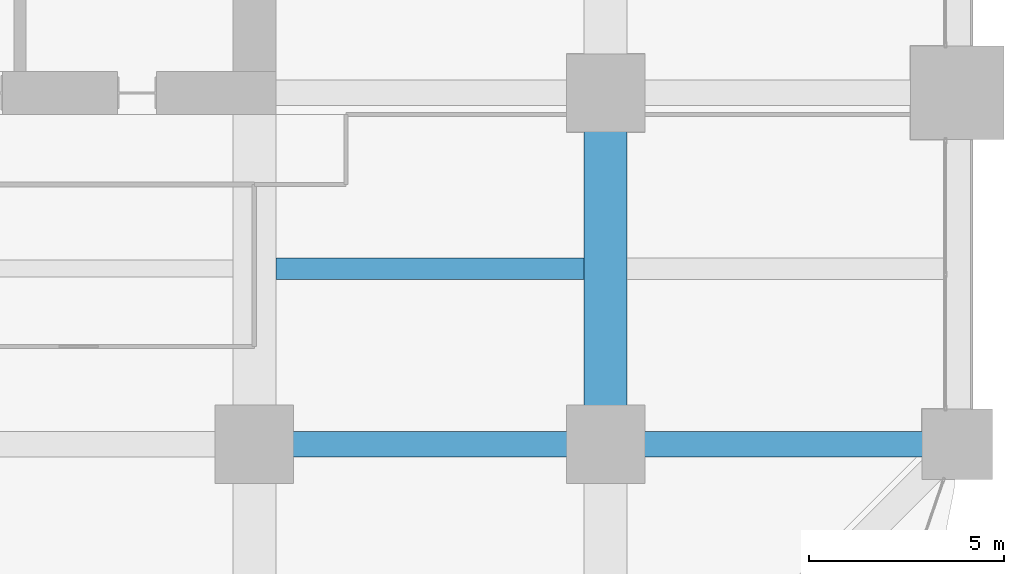
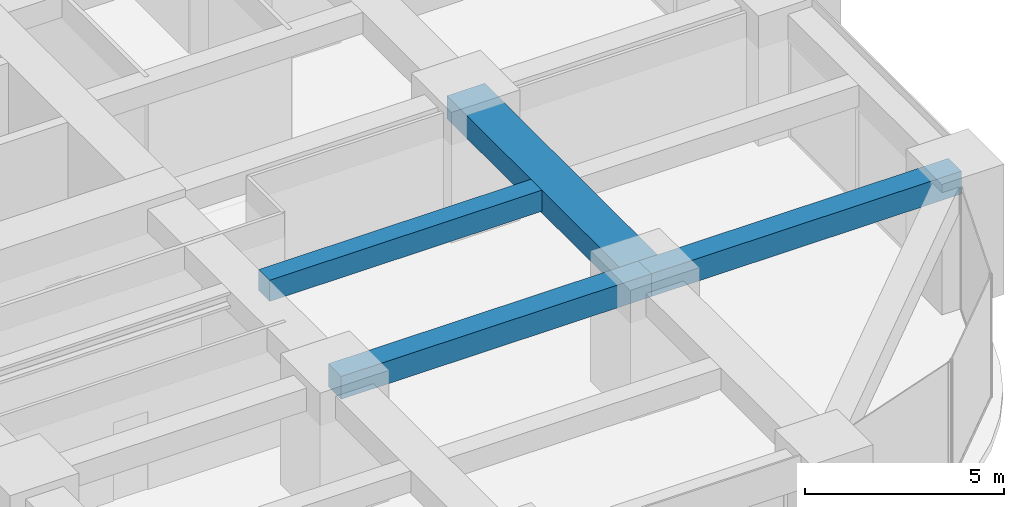
# One storey, part 18 of 40: 4 beams.
"""IFC4 building model written with IfcOpenShell, lengths in metres."""

from ifc_helpers import new_model, si_unit, direction, frame, origin, origin_2d, place, context, subcontext, project, spatial, rectangle, extrude, material, material_profile, profile_set, type_object, element, save


model = new_model("IFC4")

# Units and contexts
model_context = context("Model", 3, precision=1e-05, world=origin(), true_north=direction((0.0, 1.0)))
body_context = subcontext(model_context, "Body", "Model", "MODEL_VIEW")
ifc_project = project(units=[si_unit("LENGTHUNIT", "METRE"), si_unit("AREAUNIT", "SQUARE_METRE"), si_unit("VOLUMEUNIT", "CUBIC_METRE"), si_unit("PLANEANGLEUNIT", "RADIAN"), si_unit("MASSUNIT", "GRAM", prefix="KILO")], contexts=[model_context])

# Site, building, storey
site_placement = place(None, origin())
site = spatial("IfcSite", under=ifc_project, at=site_placement, CompositionType="ELEMENT")
building_placement = place(site_placement, origin())
building = spatial("IfcBuilding", under=site, at=building_placement, Name="Zorevar Civic Tower", CompositionType="ELEMENT")
storey_placement = place(building_placement, frame((0.0, 0.0, 93.0)))
storey = spatial("IfcBuildingStorey", under=building, at=storey_placement, Name="L22", CompositionType="ELEMENT", Elevation=93.0)

# Beams
ifc_material_1 = material(Name="Concrete C50/60", Category="concrete")
ifc_material_profile_1 = material_profile(ifc_material_1, rectangle(XDim=1.10009765625, YDim=0.699951171875, at=origin_2d()), Name="RC 1100x700")
ifc_profile_set_1 = profile_set([ifc_material_profile_1], Name="Concrete C50/60")
beam_type_1 = type_object("IfcBeamType", Name="Beam RC 1100x700", PredefinedType="BEAM", material=ifc_profile_set_1)
beam_1_placement = place(storey_placement, frame((54.0, 9.0, 3.39990234375), z_axis=(0.0, 1.0, 0.0), x_axis=(-1.0, 0.0, 0.0)))
element("IfcBeam", 1, at=beam_1_placement, inside=storey, type_object=beam_type_1, Name="Girder L23", PredefinedType="BEAM", context=body_context, shape_type="SweptSolid", body=[
    extrude(rectangle(XDim=1.10009765625, YDim=0.699951171875, at=origin_2d()), origin(), (0.0, 0.0, 1.0), 9.0),
])
ifc_material_2 = material(Name="Concrete C50/60", Category="concrete")
ifc_material_profile_2 = material_profile(ifc_material_2, rectangle(XDim=0.550048828125, YDim=0.64990234375, at=origin_2d()), Name="RC 550x650")
ifc_profile_set_2 = profile_set([ifc_material_profile_2], Name="Concrete C50/60")
beam_type_2 = type_object("IfcBeamType", Name="Beam RC 550x650", PredefinedType="BEAM", material=ifc_profile_set_2)
beam_2_placement = place(storey_placement, frame((45.550048828125, 13.5, 3.425048828125), z_axis=(1.0, 0.0, 0.0), x_axis=(0.0, 1.0, 0.0)))
element("IfcBeam", 2, at=beam_2_placement, inside=storey, type_object=beam_type_2, Name="Secondary beam L23", PredefinedType="BEAM", context=body_context, shape_type="SweptSolid", body=[
    extrude(rectangle(XDim=0.550048828125, YDim=0.64990234375, at=origin_2d()), origin(), (0.0, 0.0, 1.0), 7.89990234375),
])
ifc_material_3 = material(Name="Concrete C50/60", Category="concrete")
ifc_material_profile_3 = material_profile(ifc_material_3, rectangle(XDim=0.64990234375, YDim=0.699951171875, at=origin_2d()), Name="RC 650x700")
ifc_profile_set_3 = profile_set([ifc_material_profile_3], Name="Concrete C50/60")
beam_type_3 = type_object("IfcBeamType", Name="Beam RC 650x700", PredefinedType="BEAM", material=ifc_profile_set_3)
for number, where, z_axis, x_axis, name in (
    (3, (45.0, 9.0, 3.39990234375), (1.0, 0.0, 0.0), (0.0, 1.0, 0.0), "Girder L23"),
    (4, (54.0, 9.0, 3.39990234375), (1.0, 0.0, 0.0), (0.0, 1.0, 0.0), "Girder L23"),
):
    element("IfcBeam", number, at=place(storey_placement, frame(where, z_axis=z_axis, x_axis=x_axis)), inside=storey, type_object=beam_type_3, Name=name, PredefinedType="BEAM", context=body_context, shape_type="SweptSolid", body=[
        extrude(rectangle(XDim=0.64990234375, YDim=0.699951171875, at=origin_2d()), origin(), (0.0, 0.0, 1.0), 9.0),
    ])

save(model, "model.ifc")
